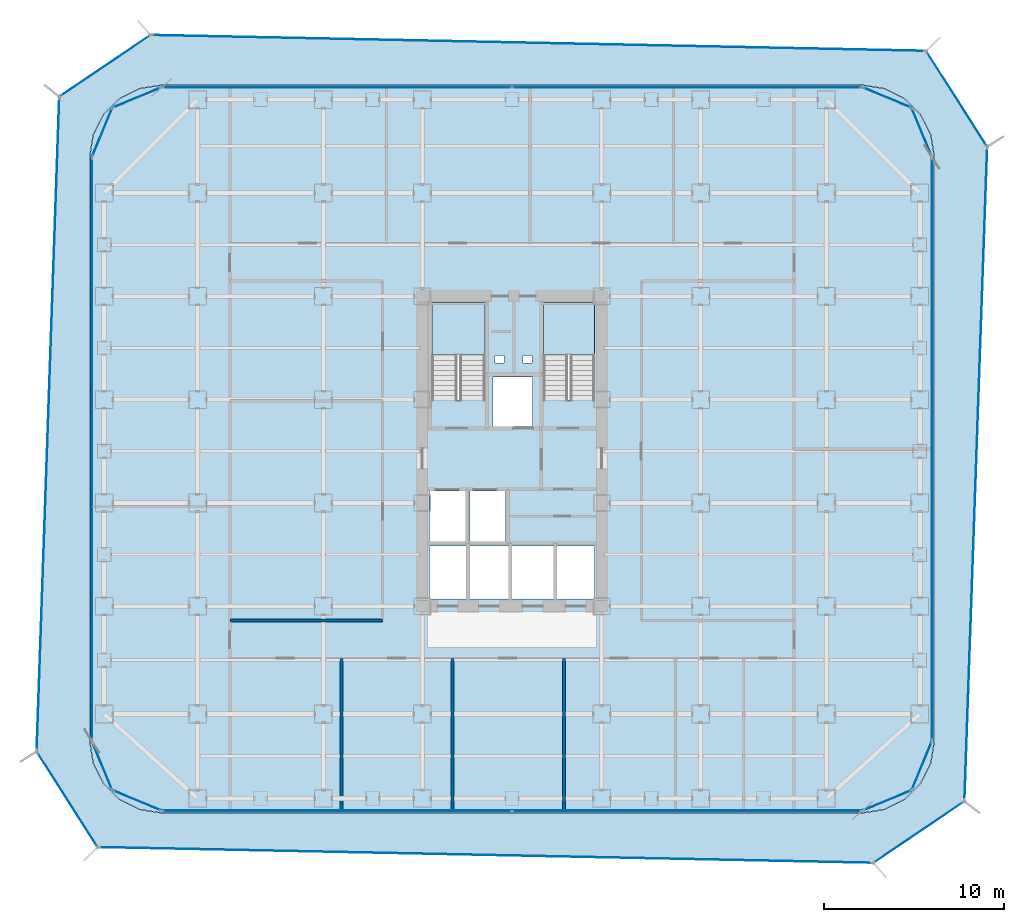
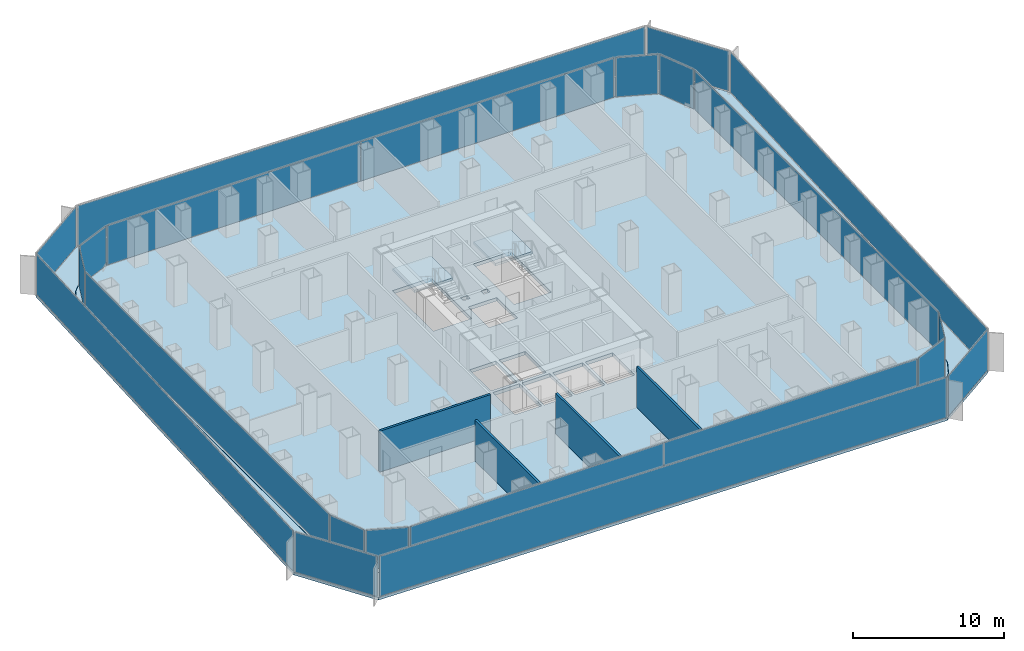
# One storey, part 16 of 22: 22 plates, 4 slabs, 4 walls, 22 elements without a shape of their own.
"""IFC4 building model written with IfcOpenShell, lengths in metres."""

from ifc_helpers import new_model, si_unit, direction, frame, frame_2d, origin, origin_2d, place, context, subcontext, project, spatial, polyline, rectangle, outline, extrude, source, transform, mapped, material, layer, layer_set, type_object, element, aggregate, save


model = new_model("IFC4")

# Units and contexts
model_context = context("Model", 3, precision=1e-05, world=origin(), true_north=direction((0.0, 1.0)))
body_context = subcontext(model_context, "Body", "Model", "MODEL_VIEW")
ifc_project = project(units=[si_unit("LENGTHUNIT", "METRE"), si_unit("AREAUNIT", "SQUARE_METRE"), si_unit("VOLUMEUNIT", "CUBIC_METRE"), si_unit("PLANEANGLEUNIT", "RADIAN"), si_unit("MASSUNIT", "GRAM", prefix="KILO")], contexts=[model_context])

# Site, building, storey
site_placement = place(None, origin())
site = spatial("IfcSite", under=ifc_project, at=site_placement, CompositionType="ELEMENT")
building_placement = place(site_placement, origin())
building = spatial("IfcBuilding", under=site, at=building_placement, Name="Kolveth Station Tower", CompositionType="ELEMENT")
storey_placement = place(building_placement, frame((0.0, 0.0, 65.699951171875)))
storey = spatial("IfcBuildingStorey", under=building, at=storey_placement, Name="L17", CompositionType="ELEMENT", Elevation=65.699951171875)

# Slab
ifc_material_1 = material(Name="Concrete C45/55", Category="concrete")
ifc_layer_1 = layer(ifc_material_1, 0.280029296875)
ifc_layer_set_1 = layer_set([ifc_layer_1], Name="Concrete C45/55")
slab_type_1 = type_object("IfcSlabType", Name="Slab_SF-280", PredefinedType="FLOOR", material=ifc_layer_set_1)
slab_1_placement = place(storey_placement, frame((0.0, 0.0, -0.280029296875)))
element("IfcSlab", 1, at=slab_1_placement, inside=storey, type_object=slab_type_1, Name="L17 Tower Structural Floor Slab", PredefinedType="FLOOR", context=body_context, shape_type="SweptSolid", body=[
    extrude(outline(polyline([(43.0, 0.0), (44.236083984375, 0.19580078125), (45.35107421875, 0.763916015625), (46.236083984375, 1.64892578125), (46.80419921875, 2.763916015625), (47.0, 4.0), (47.0, 36.5), (46.80419921875, 37.736083984375), (46.236083984375, 38.85107421875), (45.35107421875, 39.736083984375), (44.236083984375, 40.30419921875), (43.0, 40.5), (4.0, 40.5), (2.763916015625, 40.30419921875), (1.64892578125, 39.736083984375), (0.763916015625, 38.85107421875), (0.19580078125, 37.736083984375), (0.0, 36.5), (0.0, 4.0), (0.19580078125, 2.763916015625), (0.763916015625, 1.64892578125), (1.64892578125, 0.763916015625), (2.763916015625, 0.19580078125), (4.0, 0.0), (43.0, 0.0)]), holes=[polyline([(19.0400390625, 22.985107421875), (22.0, 22.985107421875), (22.0, 28.39990234375), (19.0400390625, 28.39990234375), (19.0400390625, 22.985107421875)]), polyline([(25.239990234375, 22.985107421875), (28.10009765625, 22.985107421875), (28.10009765625, 28.39990234375), (25.239990234375, 28.39990234375), (25.239990234375, 22.985107421875)]), polyline([(18.89990234375, 15.10009765625), (20.89990234375, 15.10009765625), (20.89990234375, 17.89990234375), (18.89990234375, 17.89990234375), (18.89990234375, 15.10009765625)]), polyline([(21.14990234375, 15.10009765625), (23.14990234375, 15.10009765625), (23.14990234375, 17.89990234375), (21.14990234375, 17.89990234375), (21.14990234375, 15.10009765625)]), polyline([(22.449951171875, 21.5), (24.64990234375, 21.5), (24.64990234375, 24.25), (22.449951171875, 24.25), (22.449951171875, 21.5)]), polyline([(18.89990234375, 11.89990234375), (20.949951171875, 11.89990234375), (20.949951171875, 14.85009765625), (18.89990234375, 14.85009765625), (18.89990234375, 11.89990234375)]), polyline([(21.14990234375, 11.89990234375), (23.300048828125, 11.89990234375), (23.300048828125, 14.85009765625), (21.14990234375, 14.85009765625), (21.14990234375, 11.89990234375)]), polyline([(23.5, 11.89990234375), (25.800048828125, 11.89990234375), (25.800048828125, 14.85009765625), (23.5, 14.85009765625), (23.5, 11.89990234375)]), polyline([(26.0, 11.89990234375), (28.10009765625, 11.89990234375), (28.10009765625, 14.85009765625), (26.0, 14.85009765625), (26.0, 11.89990234375)]), polyline([(22.550048828125, 25.050048828125), (23.050048828125, 25.050048828125), (23.050048828125, 25.449951171875), (22.550048828125, 25.449951171875), (22.550048828125, 25.050048828125)]), polyline([(24.10009765625, 25.050048828125), (24.60009765625, 25.050048828125), (24.60009765625, 25.449951171875), (24.10009765625, 25.449951171875), (24.10009765625, 25.050048828125)])]), origin(), (0.0, 0.0, 1.0), 0.280029296875),
])

# Stair, slab
ifc_material_2 = material(Name="Concrete C40/50", Category="concrete")
stair_type_1 = type_object("IfcStairType", Name="Stair_ST2", PredefinedType="HALF_TURN_STAIR", material=ifc_material_2)
stair_1_placement = place(storey_placement, origin())
stair_1 = element("IfcStair", 2, at=stair_1_placement, inside=storey, type_object=stair_type_1, Name="L17 Tower Exit Stair ST2", PredefinedType="HALF_TURN_STAIR")
ifc_layer_2 = layer(ifc_material_2, 0.18994140625)
ifc_layer_set_2 = layer_set([ifc_layer_2], Name="Concrete C40/50")
slab_type_2 = type_object("IfcSlabType", Name="Slab_SL-190", PredefinedType="LANDING", material=ifc_layer_set_2)
slab_2_placement = place(storey_placement, frame((0.0, 0.0, 1.60009765625)))
slab_2 = element("IfcSlab", 3, at=slab_2_placement, type_object=slab_type_2, Name="ST2 landing 1", PredefinedType="LANDING", context=body_context, shape_type="SweptSolid", body=[
    extrude(outline(polyline([(28.10009765625, 25.469970703125), (28.10009765625, 28.39990234375), (25.239990234375, 28.39990234375), (25.239990234375, 25.469970703125), (28.10009765625, 25.469970703125)])), origin(), (0.0, 0.0, 1.0), 0.199951171875),
])
aggregate(stair_1, [slab_2])

stair_type_2 = type_object("IfcStairType", Name="Stair_ST1", PredefinedType="HALF_TURN_STAIR", material=ifc_material_2)
stair_2_placement = place(storey_placement, origin())
stair_2 = element("IfcStair", 4, at=stair_2_placement, inside=storey, type_object=stair_type_2, Name="L17 Tower Exit Stair ST1", PredefinedType="HALF_TURN_STAIR")
ifc_layer_3 = layer(ifc_material_2, 0.205078125)
ifc_layer_set_3 = layer_set([ifc_layer_3], Name="Concrete C40/50")
slab_type_3 = type_object("IfcSlabType", Name="Slab_SL-205", PredefinedType="LANDING", material=ifc_layer_set_3)
slab_3_placement = place(storey_placement, frame((0.0, 0.0, 1.60009765625)))
slab_3 = element("IfcSlab", 5, at=slab_3_placement, type_object=slab_type_3, Name="ST1 landing 1", PredefinedType="LANDING", context=body_context, shape_type="SweptSolid", body=[
    extrude(outline(polyline([(22.0, 25.469970703125), (22.0, 28.39990234375), (19.0400390625, 28.39990234375), (19.0400390625, 25.469970703125), (22.0, 25.469970703125)])), origin(), (0.0, 0.0, 1.0), 0.199951171875),
])
aggregate(stair_2, [slab_3])

# Slab
ifc_layer_4 = layer(ifc_material_2, 0.2099609375)
ifc_layer_set_4 = layer_set([ifc_layer_4], Name="Concrete C40/50")
slab_type_4 = type_object("IfcSlabType", Name="Slab_ST-210", PredefinedType="FLOOR", material=ifc_layer_set_4)
slab_4_placement = place(storey_placement, frame((0.0, 0.0, -0.2099609375)))
element("IfcSlab", 6, at=slab_4_placement, inside=storey, type_object=slab_type_4, Name="L17 Double-Skin Cavity Structural Ledger Ring", PredefinedType="FLOOR", context=body_context, shape_type="SweptSolid", body=[
    extrude(outline(polyline([(0.4423828125, -1.912109375), (-2.953125, 3.419677734375), (-1.692138671875, 39.85791015625), (3.38134765625, 43.290283203125), (46.554443359375, 42.406005859375), (49.95361328125, 37.080322265625), (48.68701171875, 0.645263671875), (43.617919921875, -2.784423828125), (0.4423828125, -1.912109375)]), holes=[polyline([(43.002197265625, -0.014892578125), (44.23828125, 0.180908203125), (44.242919921875, 0.182373046875), (45.35791015625, 0.75048828125), (45.36181640625, 0.75341796875), (46.24658203125, 1.63818359375), (46.24951171875, 1.64208984375), (46.817626953125, 2.757080078125), (46.819091796875, 2.76171875), (47.014892578125, 3.997802734375), (47.014892578125, 4.0), (47.014892578125, 36.5), (47.014892578125, 36.502197265625), (46.819091796875, 37.73828125), (46.817626953125, 37.742919921875), (46.24951171875, 38.85791015625), (46.24658203125, 38.86181640625), (45.36181640625, 39.74658203125), (45.35791015625, 39.74951171875), (44.242919921875, 40.317626953125), (44.23828125, 40.319091796875), (43.002197265625, 40.514892578125), (43.0, 40.514892578125), (4.0, 40.514892578125), (3.997802734375, 40.514892578125), (2.76171875, 40.319091796875), (2.757080078125, 40.317626953125), (1.64208984375, 39.74951171875), (1.63818359375, 39.74658203125), (0.75341796875, 38.86181640625), (0.75048828125, 38.85791015625), (0.182373046875, 37.742919921875), (0.180908203125, 37.73828125), (-0.014892578125, 36.502197265625), (-0.014892578125, 36.5), (-0.014892578125, 4.0), (-0.014892578125, 3.997802734375), (0.180908203125, 2.76171875), (0.182373046875, 2.757080078125), (0.75048828125, 1.64208984375), (0.75341796875, 1.63818359375), (1.63818359375, 0.75341796875), (1.64208984375, 0.75048828125), (2.757080078125, 0.182373046875), (2.76171875, 0.180908203125), (3.997802734375, -0.014892578125), (4.0, -0.014892578125), (43.0, -0.014892578125), (43.002197265625, -0.014892578125)])]), origin(), (0.0, 0.0, 1.0), 0.2099609375),
])

# Curtain wall, plate
ifc_material_3 = material(Name="Aluminium 6063-T6 and low-E dark glass", Category="aluminium")
ifc_layer_5 = layer(ifc_material_3, 0.179931640625)
ifc_layer_set_5 = layer_set([ifc_layer_5], Name="Aluminium 6063-T6 and low-E dark glass")
curtain_wall_type_1 = type_object("IfcCurtainWallType", Name="CurtainWall_CW-Z1", PredefinedType="NOTDEFINED", material=ifc_layer_set_5)
curtain_wall_1_placement = place(storey_placement, origin())
curtain_wall_1 = element("IfcCurtainWall", 7, at=curtain_wall_1_placement, inside=storey, type_object=curtain_wall_type_1, Name="L17 Inner Thermal Curtain Wall 1", PredefinedType="NOTDEFINED")
ifc_material_4 = material(Name="Architectural low-E dark glass", Category="glass")
ifc_layer_6 = layer(ifc_material_4, 0.035888671875)
ifc_layer_set_6 = layer_set([ifc_layer_6], Name="Architectural low-E dark glass")
plate_type_1 = type_object("IfcPlateType", Name="Panel_GL1", PredefinedType="CURTAIN_PANEL", material=ifc_layer_set_6)
shared_shape_1 = source(origin(), body_context, "Body", "SweptSolid", [
    extrude(rectangle(XDim=2.83349609375, YDim=0.035888671875, at=origin_2d()), origin(), (0.0, 0.0, 1.0), 3.18408203125),
])
plate_1_placement = place(storey_placement, frame((44.371826171875, 0.688232421875, 0.068115234375), z_axis=(0.0, 0.0, 1.0), x_axis=(0.923883857728, 0.382672990201, 0.0)))
plate_1 = element("IfcPlate", 8, at=plate_1_placement, type_object=plate_type_1, Name="CW-Z1 panel 1.1", PredefinedType="CURTAIN_PANEL", context=body_context, shape_type="MappedRepresentation", body=[
    mapped(shared_shape_1, transform((0.0, 0.0, 0.0), x_axis=(1.0, 0.0, 0.0), y_axis=(0.0, 1.0, 0.0), z_axis=(0.0, 0.0, 1.0), scale=1.0)),
])
aggregate(curtain_wall_1, [plate_1])

curtain_wall_2_placement = place(storey_placement, origin())
curtain_wall_2 = element("IfcCurtainWall", 9, at=curtain_wall_2_placement, inside=storey, type_object=curtain_wall_type_1, Name="L17 Inner Thermal Curtain Wall 2", PredefinedType="NOTDEFINED")
plate_2_placement = place(storey_placement, frame((46.311767578125, 2.628173828125, 0.068115234375), z_axis=(0.0, 0.0, 1.0), x_axis=(0.382672990201, 0.923883857728, 0.0)))
plate_2 = element("IfcPlate", 10, at=plate_2_placement, type_object=plate_type_1, Name="CW-Z1 panel 1.1", PredefinedType="CURTAIN_PANEL", context=body_context, shape_type="MappedRepresentation", body=[
    mapped(shared_shape_1, transform((0.0, 0.0, 0.0), x_axis=(1.0, 0.0, 0.0), y_axis=(0.0, 1.0, 0.0), z_axis=(0.0, 0.0, 1.0), scale=1.0)),
])
aggregate(curtain_wall_2, [plate_2])

curtain_wall_3_placement = place(storey_placement, origin())
curtain_wall_3 = element("IfcCurtainWall", 11, at=curtain_wall_3_placement, inside=storey, type_object=curtain_wall_type_1, Name="L17 Inner Thermal Curtain Wall 4", PredefinedType="NOTDEFINED")
plate_3_placement = place(storey_placement, frame((46.311767578125, 37.871826171875, 0.068115234375), z_axis=(0.0, 0.0, 1.0), x_axis=(-0.382672990201, 0.923883857728, 0.0)))
plate_3 = element("IfcPlate", 12, at=plate_3_placement, type_object=plate_type_1, Name="CW-Z1 panel 1.1", PredefinedType="CURTAIN_PANEL", context=body_context, shape_type="MappedRepresentation", body=[
    mapped(shared_shape_1, transform((0.0, 0.0, 0.0), x_axis=(1.0, 0.0, 0.0), y_axis=(0.0, 1.0, 0.0), z_axis=(0.0, 0.0, 1.0), scale=1.0)),
])
aggregate(curtain_wall_3, [plate_3])

curtain_wall_4_placement = place(storey_placement, origin())
curtain_wall_4 = element("IfcCurtainWall", 13, at=curtain_wall_4_placement, inside=storey, type_object=curtain_wall_type_1, Name="L17 Inner Thermal Curtain Wall 5", PredefinedType="NOTDEFINED")
plate_4_placement = place(storey_placement, frame((44.371826171875, 39.811767578125, 0.068115234375), z_axis=(0.0, 0.0, 1.0), x_axis=(-0.923883857728, 0.382672990201, 0.0)))
plate_4 = element("IfcPlate", 14, at=plate_4_placement, type_object=plate_type_1, Name="CW-Z1 panel 1.1", PredefinedType="CURTAIN_PANEL", context=body_context, shape_type="MappedRepresentation", body=[
    mapped(shared_shape_1, transform((0.0, 0.0, 0.0), x_axis=(1.0, 0.0, 0.0), y_axis=(0.0, 1.0, 0.0), z_axis=(0.0, 0.0, 1.0), scale=1.0)),
])
aggregate(curtain_wall_4, [plate_4])

curtain_wall_5_placement = place(storey_placement, origin())
curtain_wall_5 = element("IfcCurtainWall", 15, at=curtain_wall_5_placement, inside=storey, type_object=curtain_wall_type_1, Name="L17 Inner Thermal Curtain Wall 7", PredefinedType="NOTDEFINED")
plate_5_placement = place(storey_placement, frame((2.628173828125, 39.811767578125, 0.068115234375), z_axis=(0.0, 0.0, 1.0), x_axis=(-0.923883857728, -0.382672990201, 0.0)))
plate_5 = element("IfcPlate", 16, at=plate_5_placement, type_object=plate_type_1, Name="CW-Z1 panel 1.1", PredefinedType="CURTAIN_PANEL", context=body_context, shape_type="MappedRepresentation", body=[
    mapped(shared_shape_1, transform((0.0, 0.0, 0.0), x_axis=(1.0, 0.0, 0.0), y_axis=(0.0, 1.0, 0.0), z_axis=(0.0, 0.0, 1.0), scale=1.0)),
])
aggregate(curtain_wall_5, [plate_5])

curtain_wall_6_placement = place(storey_placement, origin())
curtain_wall_6 = element("IfcCurtainWall", 17, at=curtain_wall_6_placement, inside=storey, type_object=curtain_wall_type_1, Name="L17 Inner Thermal Curtain Wall 8", PredefinedType="NOTDEFINED")
plate_6_placement = place(storey_placement, frame((0.688232421875, 37.871826171875, 0.068115234375), z_axis=(0.0, 0.0, 1.0), x_axis=(-0.382672990201, -0.923883857728, 0.0)))
plate_6 = element("IfcPlate", 18, at=plate_6_placement, type_object=plate_type_1, Name="CW-Z1 panel 1.1", PredefinedType="CURTAIN_PANEL", context=body_context, shape_type="MappedRepresentation", body=[
    mapped(shared_shape_1, transform((0.0, 0.0, 0.0), x_axis=(1.0, 0.0, 0.0), y_axis=(0.0, 1.0, 0.0), z_axis=(0.0, 0.0, 1.0), scale=1.0)),
])
aggregate(curtain_wall_6, [plate_6])

curtain_wall_7_placement = place(storey_placement, origin())
curtain_wall_7 = element("IfcCurtainWall", 19, at=curtain_wall_7_placement, inside=storey, type_object=curtain_wall_type_1, Name="L17 Inner Thermal Curtain Wall 10", PredefinedType="NOTDEFINED")
plate_7_placement = place(storey_placement, frame((0.688232421875, 2.628173828125, 0.068115234375), z_axis=(0.0, 0.0, 1.0), x_axis=(0.382672990201, -0.923883857728, 0.0)))
plate_7 = element("IfcPlate", 20, at=plate_7_placement, type_object=plate_type_1, Name="CW-Z1 panel 1.1", PredefinedType="CURTAIN_PANEL", context=body_context, shape_type="MappedRepresentation", body=[
    mapped(shared_shape_1, transform((0.0, 0.0, 0.0), x_axis=(1.0, 0.0, 0.0), y_axis=(0.0, 1.0, 0.0), z_axis=(0.0, 0.0, 1.0), scale=1.0)),
])
aggregate(curtain_wall_7, [plate_7])

curtain_wall_8_placement = place(storey_placement, origin())
curtain_wall_8 = element("IfcCurtainWall", 21, at=curtain_wall_8_placement, inside=storey, type_object=curtain_wall_type_1, Name="L17 Inner Thermal Curtain Wall 11", PredefinedType="NOTDEFINED")
plate_8_placement = place(storey_placement, frame((2.628173828125, 0.688232421875, 0.068115234375), z_axis=(0.0, 0.0, 1.0), x_axis=(0.923883857728, -0.382672990201, 0.0)))
plate_8 = element("IfcPlate", 22, at=plate_8_placement, type_object=plate_type_1, Name="CW-Z1 panel 1.1", PredefinedType="CURTAIN_PANEL", context=body_context, shape_type="MappedRepresentation", body=[
    mapped(shared_shape_1, transform((0.0, 0.0, 0.0), x_axis=(1.0, 0.0, 0.0), y_axis=(0.0, 1.0, 0.0), z_axis=(0.0, 0.0, 1.0), scale=1.0)),
])
aggregate(curtain_wall_8, [plate_8])

curtain_wall_9_placement = place(storey_placement, origin())
curtain_wall_9 = element("IfcCurtainWall", 23, at=curtain_wall_9_placement, inside=storey, type_object=curtain_wall_type_1, Name="L17 Inner Thermal Curtain Wall 3", PredefinedType="NOTDEFINED")
shared_shape_2 = source(origin(), body_context, "Body", "SweptSolid", [
    extrude(rectangle(XDim=32.364013671875, YDim=0.035888671875, at=origin_2d()), origin(), (0.0, 0.0, 1.0), 3.18408203125),
])
plate_9_placement = place(storey_placement, frame((46.8798828125, 20.25, 0.068115234375), z_axis=(0.0, 0.0, 1.0), x_axis=(0.0, 1.0, 0.0)))
plate_9 = element("IfcPlate", 24, at=plate_9_placement, type_object=plate_type_1, Name="CW-Z1 panel 1.1", PredefinedType="CURTAIN_PANEL", context=body_context, shape_type="MappedRepresentation", body=[
    mapped(shared_shape_2, transform((0.0, 0.0, 0.0), x_axis=(1.0, 0.0, 0.0), y_axis=(0.0, 1.0, 0.0), z_axis=(0.0, 0.0, 1.0), scale=1.0)),
])
aggregate(curtain_wall_9, [plate_9])

curtain_wall_10_placement = place(storey_placement, origin())
curtain_wall_10 = element("IfcCurtainWall", 25, at=curtain_wall_10_placement, inside=storey, type_object=curtain_wall_type_1, Name="L17 Inner Thermal Curtain Wall 9", PredefinedType="NOTDEFINED")
plate_10_placement = place(storey_placement, frame((0.1201171875, 20.25, 0.068115234375), z_axis=(0.0, 0.0, 1.0), x_axis=(0.0, -1.0, 0.0)))
plate_10 = element("IfcPlate", 26, at=plate_10_placement, type_object=plate_type_1, Name="CW-Z1 panel 1.1", PredefinedType="CURTAIN_PANEL", context=body_context, shape_type="MappedRepresentation", body=[
    mapped(shared_shape_2, transform((0.0, 0.0, 0.0), x_axis=(1.0, 0.0, 0.0), y_axis=(0.0, 1.0, 0.0), z_axis=(0.0, 0.0, 1.0), scale=1.0)),
])
aggregate(curtain_wall_10, [plate_10])

# Curtain wall, plates
curtain_wall_11_placement = place(storey_placement, origin())
curtain_wall_11 = element("IfcCurtainWall", 27, at=curtain_wall_11_placement, inside=storey, type_object=curtain_wall_type_1, Name="L17 Inner Thermal Curtain Wall 6", PredefinedType="NOTDEFINED")
shared_shape_3 = source(origin(), body_context, "Body", "SweptSolid", [
    extrude(rectangle(XDim=19.401611328125, YDim=0.035888671875, at=origin_2d()), origin(), (0.0, 0.0, 1.0), 3.18408203125),
])
plate_11_placement = place(storey_placement, frame((33.231201171875, 40.3798828125, 0.068115234375), z_axis=(0.0, 0.0, 1.0), x_axis=(-1.0, 0.0, 0.0)))
plate_11 = element("IfcPlate", 28, at=plate_11_placement, type_object=plate_type_1, Name="CW-Z1 panel 1.1", PredefinedType="CURTAIN_PANEL", context=body_context, shape_type="MappedRepresentation", body=[
    mapped(shared_shape_3, transform((0.0, 0.0, 0.0), x_axis=(1.0, 0.0, 0.0), y_axis=(0.0, 1.0, 0.0), z_axis=(0.0, 0.0, 1.0), scale=1.0)),
])
plate_12_placement = place(storey_placement, frame((13.768798828125, 40.3798828125, 0.068115234375), z_axis=(0.0, 0.0, 1.0), x_axis=(-1.0, 0.0, 0.0)))
plate_12 = element("IfcPlate", 29, at=plate_12_placement, type_object=plate_type_1, Name="CW-Z1 panel 2.1", PredefinedType="CURTAIN_PANEL", context=body_context, shape_type="MappedRepresentation", body=[
    mapped(shared_shape_3, transform((0.0, 0.0, 0.0), x_axis=(1.0, 0.0, 0.0), y_axis=(0.0, 1.0, 0.0), z_axis=(0.0, 0.0, 1.0), scale=1.0)),
])
aggregate(curtain_wall_11, [plate_11, plate_12])

curtain_wall_12_placement = place(storey_placement, origin())
curtain_wall_12 = element("IfcCurtainWall", 30, at=curtain_wall_12_placement, inside=storey, type_object=curtain_wall_type_1, Name="L17 Inner Thermal Curtain Wall 12", PredefinedType="NOTDEFINED")
plate_13_placement = place(storey_placement, frame((13.768798828125, 0.1201171875, 0.068115234375), z_axis=(0.0, 0.0, 1.0), x_axis=(1.0, 0.0, 0.0)))
plate_13 = element("IfcPlate", 31, at=plate_13_placement, type_object=plate_type_1, Name="CW-Z1 panel 1.1", PredefinedType="CURTAIN_PANEL", context=body_context, shape_type="MappedRepresentation", body=[
    mapped(shared_shape_3, transform((0.0, 0.0, 0.0), x_axis=(1.0, 0.0, 0.0), y_axis=(0.0, 1.0, 0.0), z_axis=(0.0, 0.0, 1.0), scale=1.0)),
])
plate_14_placement = place(storey_placement, frame((33.231201171875, 0.1201171875, 0.068115234375), z_axis=(0.0, 0.0, 1.0), x_axis=(1.0, 0.0, 0.0)))
plate_14 = element("IfcPlate", 32, at=plate_14_placement, type_object=plate_type_1, Name="CW-Z1 panel 2.1", PredefinedType="CURTAIN_PANEL", context=body_context, shape_type="MappedRepresentation", body=[
    mapped(shared_shape_3, transform((0.0, 0.0, 0.0), x_axis=(1.0, 0.0, 0.0), y_axis=(0.0, 1.0, 0.0), z_axis=(0.0, 0.0, 1.0), scale=1.0)),
])
aggregate(curtain_wall_12, [plate_13, plate_14])

# Curtain wall, plate
ifc_material_5 = material(Name="Black anodized aluminium 6063-T6 and dark solar glass", Category="aluminium")
ifc_layer_7 = layer(ifc_material_5, 0.159912109375)
ifc_layer_set_7 = layer_set([ifc_layer_7], Name="Black anodized aluminium 6063-T6 and dark solar glass")
curtain_wall_type_2 = type_object("IfcCurtainWallType", Name="OUTER SKIN CW-OS", PredefinedType="NOTDEFINED", material=ifc_layer_set_7)
curtain_wall_13_placement = place(storey_placement, origin())
curtain_wall_13 = element("IfcCurtainWall", 33, at=curtain_wall_13_placement, inside=storey, type_object=curtain_wall_type_2, Name="L17 Outer Ventilated Skin Curtain Wall 1", PredefinedType="NOTDEFINED")
ifc_layer_8 = layer(ifc_material_4, 0.028076171875)
ifc_layer_set_8 = layer_set([ifc_layer_8], Name="Architectural low-E dark glass")
plate_type_2 = type_object("IfcPlateType", Name="Panel_GL-OS", PredefinedType="CURTAIN_PANEL", material=ifc_layer_set_8)
shared_shape_4 = source(origin(), body_context, "Body", "SweptSolid", [
    extrude(rectangle(XDim=5.9541015625, YDim=0.028076171875, at=origin_2d()), origin(), (0.0, 0.0, 1.0), 3.243896484375),
])
plate_15_placement = place(storey_placement, frame((46.15234375, -1.069580078125, 0.0732421875), z_axis=(0.0, 0.0, 1.0), x_axis=(0.828227428392, 0.560392118841, 0.0)))
plate_15 = element("IfcPlate", 34, at=plate_15_placement, type_object=plate_type_2, Name="CW-OS panel 1.1", PredefinedType="CURTAIN_PANEL", context=body_context, shape_type="MappedRepresentation", body=[
    mapped(shared_shape_4, transform((0.0, 0.0, 0.0), x_axis=(1.0, 0.0, 0.0), y_axis=(0.0, 1.0, 0.0), z_axis=(0.0, 0.0, 1.0), scale=1.0)),
])
aggregate(curtain_wall_13, [plate_15])

curtain_wall_14_placement = place(storey_placement, origin())
curtain_wall_14 = element("IfcCurtainWall", 35, at=curtain_wall_14_placement, inside=storey, type_object=curtain_wall_type_2, Name="L17 Outer Ventilated Skin Curtain Wall 2", PredefinedType="NOTDEFINED")
shared_shape_5 = source(origin(), body_context, "Body", "SweptSolid", [
    extrude(rectangle(XDim=36.291015625, YDim=0.028076171875, at=origin_2d()), origin(), (0.0, 0.0, 1.0), 3.243896484375),
])
plate_16_placement = place(storey_placement, frame((49.3203125, 18.86279296875, 0.0732421875), z_axis=(0.0, 0.0, 1.0), x_axis=(0.034742195394, 0.999396307707, 0.0)))
plate_16 = element("IfcPlate", 36, at=plate_16_placement, type_object=plate_type_2, Name="CW-OS panel 1.1", PredefinedType="CURTAIN_PANEL", context=body_context, shape_type="MappedRepresentation", body=[
    mapped(shared_shape_5, transform((0.0, 0.0, 0.0), x_axis=(1.0, 0.0, 0.0), y_axis=(0.0, 1.0, 0.0), z_axis=(0.0, 0.0, 1.0), scale=1.0)),
])
aggregate(curtain_wall_14, [plate_16])

curtain_wall_15_placement = place(storey_placement, origin())
curtain_wall_15 = element("IfcCurtainWall", 37, at=curtain_wall_15_placement, inside=storey, type_object=curtain_wall_type_2, Name="L17 Outer Ventilated Skin Curtain Wall 3", PredefinedType="NOTDEFINED")
shared_shape_6 = source(origin(), body_context, "Body", "SweptSolid", [
    extrude(rectangle(XDim=6.152099609375, YDim=0.028076171875, at=origin_2d()), origin(), (0.0, 0.0, 1.0), 3.243896484375),
])
plate_17_placement = place(storey_placement, frame((48.25390625, 39.7431640625, 0.0732421875), z_axis=(0.0, 0.0, 1.0), x_axis=(-0.538003628878, 0.842942521952, 0.0)))
plate_17 = element("IfcPlate", 38, at=plate_17_placement, type_object=plate_type_2, Name="CW-OS panel 1.1", PredefinedType="CURTAIN_PANEL", context=body_context, shape_type="MappedRepresentation", body=[
    mapped(shared_shape_6, transform((0.0, 0.0, 0.0), x_axis=(1.0, 0.0, 0.0), y_axis=(0.0, 1.0, 0.0), z_axis=(0.0, 0.0, 1.0), scale=1.0)),
])
aggregate(curtain_wall_15, [plate_17])

curtain_wall_16_placement = place(storey_placement, origin())
curtain_wall_16 = element("IfcCurtainWall", 39, at=curtain_wall_16_placement, inside=storey, type_object=curtain_wall_type_2, Name="L17 Outer Ventilated Skin Curtain Wall 4", PredefinedType="NOTDEFINED")
shared_shape_7 = source(origin(), body_context, "Body", "SweptSolid", [
    extrude(rectangle(XDim=43.01611328125, YDim=0.028076171875, at=origin_2d()), origin(), (0.0, 0.0, 1.0), 3.243896484375),
])
plate_18_placement = place(storey_placement, frame((24.9677734375, 42.84814453125, 0.0732421875), z_axis=(0.0, 0.0, 1.0), x_axis=(-0.999790391083, 0.020473736773, 0.0)))
plate_18 = element("IfcPlate", 40, at=plate_18_placement, type_object=plate_type_2, Name="CW-OS panel 1.1", PredefinedType="CURTAIN_PANEL", context=body_context, shape_type="MappedRepresentation", body=[
    mapped(shared_shape_7, transform((0.0, 0.0, 0.0), x_axis=(1.0, 0.0, 0.0), y_axis=(0.0, 1.0, 0.0), z_axis=(0.0, 0.0, 1.0), scale=1.0)),
])
aggregate(curtain_wall_16, [plate_18])

curtain_wall_17_placement = place(storey_placement, origin())
curtain_wall_17 = element("IfcCurtainWall", 41, at=curtain_wall_17_placement, inside=storey, type_object=curtain_wall_type_2, Name="L17 Outer Ventilated Skin Curtain Wall 5", PredefinedType="NOTDEFINED")
shared_shape_8 = source(origin(), body_context, "Body", "SweptSolid", [
    extrude(rectangle(XDim=5.95947265625, YDim=0.028076171875, at=origin_2d()), origin(), (0.0, 0.0, 1.0), 3.243896484375),
])
plate_19_placement = place(storey_placement, frame((0.844482421875, 41.573974609375, 0.0732421875), z_axis=(0.0, 0.0, 1.0), x_axis=(-0.828258677477, -0.56034593171, 0.0)))
plate_19 = element("IfcPlate", 42, at=plate_19_placement, type_object=plate_type_2, Name="CW-OS panel 1.1", PredefinedType="CURTAIN_PANEL", context=body_context, shape_type="MappedRepresentation", body=[
    mapped(shared_shape_8, transform((0.0, 0.0, 0.0), x_axis=(1.0, 0.0, 0.0), y_axis=(0.0, 1.0, 0.0), z_axis=(0.0, 0.0, 1.0), scale=1.0)),
])
aggregate(curtain_wall_17, [plate_19])

curtain_wall_18_placement = place(storey_placement, origin())
curtain_wall_18 = element("IfcCurtainWall", 43, at=curtain_wall_18_placement, inside=storey, type_object=curtain_wall_type_2, Name="L17 Outer Ventilated Skin Curtain Wall 6", PredefinedType="NOTDEFINED")
shared_shape_9 = source(origin(), body_context, "Body", "SweptSolid", [
    extrude(rectangle(XDim=36.2939453125, YDim=0.028076171875, at=origin_2d()), origin(), (0.0, 0.0, 1.0), 3.243896484375),
])
plate_20_placement = place(storey_placement, frame((-2.32275390625, 21.638671875, 0.0732421875), z_axis=(0.0, 0.0, 1.0), x_axis=(-0.034585835278, -0.999401731036, 0.0)))
plate_20 = element("IfcPlate", 44, at=plate_20_placement, type_object=plate_type_2, Name="CW-OS panel 1.1", PredefinedType="CURTAIN_PANEL", context=body_context, shape_type="MappedRepresentation", body=[
    mapped(shared_shape_9, transform((0.0, 0.0, 0.0), x_axis=(1.0, 0.0, 0.0), y_axis=(0.0, 1.0, 0.0), z_axis=(0.0, 0.0, 1.0), scale=1.0)),
])
aggregate(curtain_wall_18, [plate_20])

curtain_wall_19_placement = place(storey_placement, origin())
curtain_wall_19 = element("IfcCurtainWall", 45, at=curtain_wall_19_placement, inside=storey, type_object=curtain_wall_type_2, Name="L17 Outer Ventilated Skin Curtain Wall 7", PredefinedType="NOTDEFINED")
shared_shape_10 = source(origin(), body_context, "Body", "SweptSolid", [
    extrude(rectangle(XDim=6.155029296875, YDim=0.028076171875, at=origin_2d()), origin(), (0.0, 0.0, 1.0), 3.243896484375),
])
plate_21_placement = place(storey_placement, frame((-1.25537109375, 0.75390625, 0.0732421875), z_axis=(0.0, 0.0, 1.0), x_axis=(0.537175390925, -0.843470568179, 0.0)))
plate_21 = element("IfcPlate", 46, at=plate_21_placement, type_object=plate_type_2, Name="CW-OS panel 1.1", PredefinedType="CURTAIN_PANEL", context=body_context, shape_type="MappedRepresentation", body=[
    mapped(shared_shape_10, transform((0.0, 0.0, 0.0), x_axis=(1.0, 0.0, 0.0), y_axis=(0.0, 1.0, 0.0), z_axis=(0.0, 0.0, 1.0), scale=1.0)),
])
aggregate(curtain_wall_19, [plate_21])

curtain_wall_20_placement = place(storey_placement, origin())
curtain_wall_20 = element("IfcCurtainWall", 47, at=curtain_wall_20_placement, inside=storey, type_object=curtain_wall_type_2, Name="L17 Outer Ventilated Skin Curtain Wall 8", PredefinedType="NOTDEFINED")
shared_shape_11 = source(origin(), body_context, "Body", "SweptSolid", [
    extrude(rectangle(XDim=43.0185546875, YDim=0.028076171875, at=origin_2d()), origin(), (0.0, 0.0, 1.0), 3.243896484375),
])
plate_22_placement = place(storey_placement, frame((22.030029296875, -2.34814453125, 0.0732421875), z_axis=(0.0, 0.0, 1.0), x_axis=(0.999795925104, -0.020201686712, 0.0)))
plate_22 = element("IfcPlate", 48, at=plate_22_placement, type_object=plate_type_2, Name="CW-OS panel 1.1", PredefinedType="CURTAIN_PANEL", context=body_context, shape_type="MappedRepresentation", body=[
    mapped(shared_shape_11, transform((0.0, 0.0, 0.0), x_axis=(1.0, 0.0, 0.0), y_axis=(0.0, 1.0, 0.0), z_axis=(0.0, 0.0, 1.0), scale=1.0)),
])
aggregate(curtain_wall_20, [plate_22])

# Walls
ifc_material_6 = material(Name="Acoustic double-stud gypsum partition")
ifc_layer_9 = layer(ifc_material_6, 0.1650390625)
ifc_layer_set_9 = layer_set([ifc_layer_9], Name="Acoustic double-stud gypsum partition")
wall_type = type_object("IfcWallType", Name="Wall_IW-165", PredefinedType="PARTITIONING", material=ifc_layer_set_9)
wall_placement = place(storey_placement, frame((7.800048828125, 10.699951171875, 0.0), z_axis=(0.0, 0.0, 1.0), x_axis=(1.0, 0.0, 0.0)))
element("IfcWall", 49, at=wall_placement, inside=storey, type_object=wall_type, Name="L17 Partition Wall WL-L17-OSWT", PredefinedType="PARTITIONING", context=body_context, shape_type="SweptSolid", body=[
    extrude(rectangle(XDim=8.5, YDim=0.1650390625, at=frame_2d((4.25, 0.0))), origin(), (0.0, 0.0, 1.0), 3.320068359375),
])
for number, where, z_axis, x_axis, name in (
    (50, (14.0, 0.159912109375, 0.0), (0.0, 0.0, 1.0), (0.0, 1.0, 0.0), "L17 Partition Wall WL-L17-OS-P1"),
    (51, (20.199951171875, 0.159912109375, 0.0), (0.0, 0.0, 1.0), (0.0, 1.0, 0.0), "L17 Partition Wall WL-L17-OS-P2"),
    (52, (26.39990234375, 0.159912109375, 0.0), (0.0, 0.0, 1.0), (0.0, 1.0, 0.0), "L17 Partition Wall WL-L17-OS-P3"),
):
    element("IfcWall", number, at=place(storey_placement, frame(where, z_axis=z_axis, x_axis=x_axis)), inside=storey, type_object=wall_type, Name=name, PredefinedType="PARTITIONING", context=body_context, shape_type="SweptSolid", body=[
        extrude(rectangle(XDim=8.440185546875, YDim=0.1650390625, at=frame_2d((4.22021484375, 0.0))), origin(), (0.0, 0.0, 1.0), 3.320068359375),
    ])

save(model, "model.ifc")
